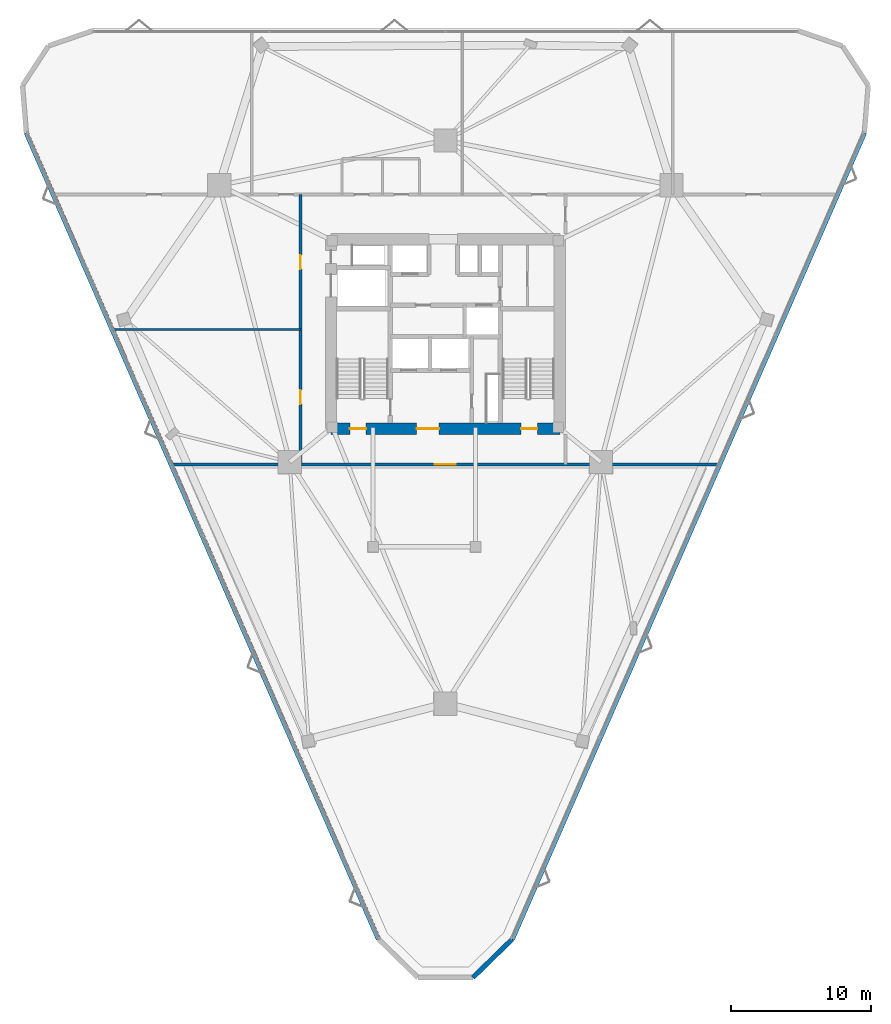
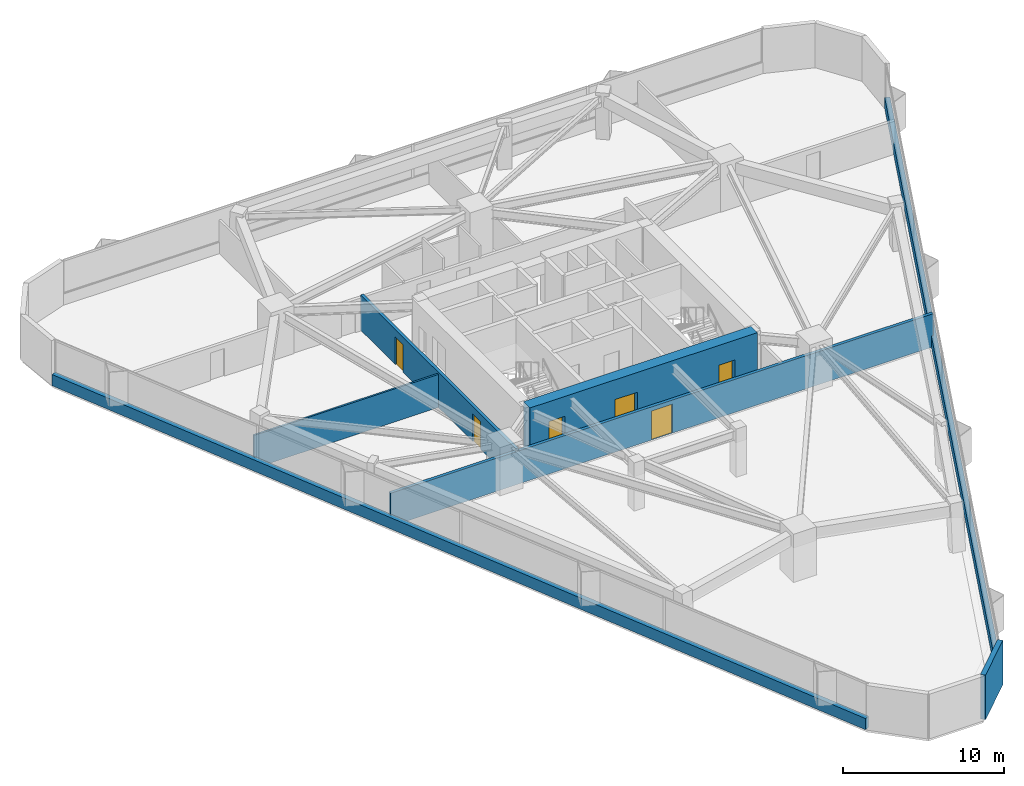
# One storey, part 11 of 15: 7 walls, 6 doors, 6 openings.
"""IFC4 building model written with IfcOpenShell, lengths in metres."""

from ifc_helpers import new_model, si_unit, direction, frame, frame_2d, origin, place, context, subcontext, project, spatial, rectangle, extrude, material, layer, layer_set, type_object, element, fill, save


model = new_model("IFC4")

# Units and contexts
model_context = context("Model", 3, precision=1e-05, world=origin(), true_north=direction((0.0, 1.0)))
body_context = subcontext(model_context, "Body", "Model", "MODEL_VIEW")
ifc_project = project(units=[si_unit("LENGTHUNIT", "METRE"), si_unit("AREAUNIT", "SQUARE_METRE"), si_unit("VOLUMEUNIT", "CUBIC_METRE"), si_unit("PLANEANGLEUNIT", "RADIAN"), si_unit("MASSUNIT", "GRAM", prefix="KILO")], contexts=[model_context])

# Site, building, storey
site_placement = place(None, origin())
site = spatial("IfcSite", under=ifc_project, at=site_placement, CompositionType="ELEMENT")
building_placement = place(site_placement, origin())
building = spatial("IfcBuilding", under=site, at=building_placement, Name="Talyreon Biosciences Tower", CompositionType="ELEMENT")
storey_placement = place(building_placement, frame((0.0, 0.0, 111.5)))
storey = spatial("IfcBuildingStorey", under=building, at=storey_placement, Name="L29", CompositionType="ELEMENT", Elevation=111.5)

# Wall, openings, doors
ifc_material_1 = material(Name="Concrete C60/75", Category="concrete")
ifc_layer_1 = layer(ifc_material_1, 0.800048828125)
ifc_layer_set_1 = layer_set([ifc_layer_1], Name="Concrete C60/75")
wall_type_1 = type_object("IfcWallType", Name="CoreShearWall_800", PredefinedType="SHEAR", material=ifc_layer_set_1)
wall_1_placement = place(storey_placement, frame((57.85009765625, 61.25, 0.0), z_axis=(0.0, 0.0, 1.0), x_axis=(1.0, 0.0, 0.0)))
wall_1 = element("IfcWall", 1, at=wall_1_placement, inside=storey, type_object=wall_type_1, Name="L29 Core Shear Wall S", PredefinedType="SHEAR", context=body_context, shape_type="SweptSolid", body=[
    extrude(rectangle(XDim=16.2998046875, YDim=0.800048828125, at=frame_2d((8.14990234375, 0.0))), origin(), (0.0, 0.0, 1.0), 3.64990234375),
])
opening_1_placement = place(wall_1_placement, frame((1.35009765625, 0.0, 0.0)))
opening_1 = element("IfcOpeningElement", 2, at=opening_1_placement, cuts=wall_1, Name="Opening DR-L29-ST1", PredefinedType="OPENING", context=body_context, shape_type="SweptSolid", body=[
    extrude(rectangle(XDim=1.14990234375, YDim=2.14990234375, at=frame_2d((0.574951171875, 1.074951171875))), frame((0.0, 0.409912109375, 0.0), z_axis=(0.0, -1.0, 0.0), x_axis=(1.0, 0.0, 0.0)), (0.0, 0.0, 1.0), 0.820068359375),
])
opening_2_placement = place(wall_1_placement, frame((6.10009765625, 0.0, 0.0)))
opening_2 = element("IfcOpeningElement", 3, at=opening_2_placement, cuts=wall_1, Name="Opening DR-L29-FFL", PredefinedType="OPENING", context=body_context, shape_type="SweptSolid", body=[
    extrude(rectangle(XDim=1.60009765625, YDim=2.14990234375, at=frame_2d((0.800048828125, 1.074951171875))), frame((0.0, 0.409912109375, 0.0), z_axis=(0.0, -1.0, 0.0), x_axis=(1.0, 0.0, 0.0)), (0.0, 0.0, 1.0), 0.820068359375),
])
opening_3_placement = place(wall_1_placement, frame((13.550048828125, 0.0, 0.0)))
opening_3 = element("IfcOpeningElement", 4, at=opening_3_placement, cuts=wall_1, Name="Opening DR-L29-ST2", PredefinedType="OPENING", context=body_context, shape_type="SweptSolid", body=[
    extrude(rectangle(XDim=1.14990234375, YDim=2.14990234375, at=frame_2d((0.574951171875, 1.074951171875))), frame((0.0, 0.409912109375, 0.0), z_axis=(0.0, -1.0, 0.0), x_axis=(1.0, 0.0, 0.0)), (0.0, 0.0, 1.0), 0.820068359375),
])
ifc_material_2 = material(Name="Painted steel smoke-seal fire door", Category="steel")
door_type_1 = type_object("IfcDoorType", Name="FirefightingLobbyDoubleDoor_1600x2150", OperationType="DOUBLE_DOOR_SINGLE_SWING", PredefinedType="DOOR", material=ifc_material_2)
door_1_placement = place(opening_2_placement, origin())
door_1 = element("IfcDoor", 5, at=door_1_placement, inside=storey, type_object=door_type_1, Name="L29 Core Door DR-L29-FFL", OperationType="DOUBLE_DOOR_SINGLE_SWING", OverallHeight=2.14990234375, OverallWidth=1.60009765625, PredefinedType="DOOR", context=body_context, shape_type="SweptSolid", body=[
    extrude(rectangle(XDim=1.60009765625, YDim=2.14990234375, at=frame_2d((0.800048828125, 1.074951171875))), frame((0.0, 0.02490234375, 0.0), z_axis=(0.0, -1.0, 0.0), x_axis=(1.0, 0.0, 0.0)), (0.0, 0.0, 1.0), 0.050048828125),
])
fill(opening_2, door_1)
ifc_material_3 = material(Name="Painted steel fire door", Category="steel")
door_type_2 = type_object("IfcDoorType", Name="StairShaftFireDoor_1150x2150", OperationType="NOTDEFINED", PredefinedType="DOOR", material=ifc_material_3)
door_2_placement = place(opening_1_placement, origin())
door_2 = element("IfcDoor", 6, at=door_2_placement, inside=storey, type_object=door_type_2, Name="L29 Core Door DR-L29-ST1", OperationType="SINGLE_SWING_LEFT", OverallHeight=2.14990234375, OverallWidth=1.14990234375, PredefinedType="DOOR", context=body_context, shape_type="SweptSolid", body=[
    extrude(rectangle(XDim=1.14990234375, YDim=2.14990234375, at=frame_2d((0.574951171875, 1.074951171875))), frame((0.0, 0.02490234375, 0.0), z_axis=(0.0, -1.0, 0.0), x_axis=(1.0, 0.0, 0.0)), (0.0, 0.0, 1.0), 0.050048828125),
])
fill(opening_1, door_2)
door_3_placement = place(opening_3_placement, origin())
door_3 = element("IfcDoor", 7, at=door_3_placement, inside=storey, type_object=door_type_2, Name="L29 Core Door DR-L29-ST2", OperationType="SINGLE_SWING_RIGHT", OverallHeight=2.14990234375, OverallWidth=1.14990234375, PredefinedType="DOOR", context=body_context, shape_type="SweptSolid", body=[
    extrude(rectangle(XDim=1.14990234375, YDim=2.14990234375, at=frame_2d((0.574951171875, 1.074951171875))), frame((0.0, 0.02490234375, 0.0), z_axis=(0.0, -1.0, 0.0), x_axis=(1.0, 0.0, 0.0)), (0.0, 0.0, 1.0), 0.050048828125),
])
fill(opening_3, door_3)

# Wall, opening, door
ifc_material_4 = material(Name="Gypsum fireboard acoustic stud", Category="gypsum")
ifc_layer_2 = layer(ifc_material_4, 0.219970703125)
ifc_layer_set_2 = layer_set([ifc_layer_2], Name="Gypsum fireboard acoustic stud")
wall_type_2 = type_object("IfcWallType", Name="CorridorRatedPartition_220", PredefinedType="PARTITIONING", material=ifc_layer_set_2)
wall_2_placement = place(storey_placement, frame((46.5625, 58.699951171875, 0.0), z_axis=(0.0, 0.0, 1.0), x_axis=(1.0, 0.0, 0.0)))
wall_2 = element("IfcWall", 8, at=wall_2_placement, inside=storey, type_object=wall_type_2, Name="L29 Interior Wall IW-L29-COR-S", PredefinedType="PARTITIONING", context=body_context, shape_type="SweptSolid", body=[
    extrude(rectangle(XDim=38.875, YDim=0.219970703125, at=frame_2d((19.4375, 0.0))), origin(), (0.0, 0.0, 1.0), 2.5048828125),
])
opening_4_placement = place(wall_2_placement, frame((18.68701171875, 0.0, 0.0)))
opening_4 = element("IfcOpeningElement", 9, at=opening_4_placement, cuts=wall_2, Name="Opening DR-L29-S1A", PredefinedType="OPENING", context=body_context, shape_type="SweptSolid", body=[
    extrude(rectangle(XDim=1.5, YDim=2.199951171875, at=frame_2d((0.75, 1.10009765625))), frame((0.0, 0.119873046875, 0.0), z_axis=(0.0, -1.0, 0.0), x_axis=(1.0, 0.0, 0.0)), (0.0, 0.0, 1.0), 0.239990234375),
])
ifc_material_5 = material(Name="Vision-panel steel laboratory fire door", Category="steel")
door_type_3 = type_object("IfcDoorType", Name="WetLabDoubleLeafDoor_1500x2200", OperationType="DOUBLE_DOOR_SINGLE_SWING", PredefinedType="DOOR", material=ifc_material_5)
door_4_placement = place(opening_4_placement, origin())
door_4 = element("IfcDoor", 10, at=door_4_placement, inside=storey, type_object=door_type_3, Name="L29 Interior Door DR-L29-S1A", OperationType="DOUBLE_DOOR_SINGLE_SWING", OverallHeight=2.199951171875, OverallWidth=1.5, PredefinedType="DOOR", context=body_context, shape_type="SweptSolid", body=[
    extrude(rectangle(XDim=1.5, YDim=2.199951171875, at=frame_2d((0.75, 1.10009765625))), frame((0.0, 0.02490234375, 0.0), z_axis=(0.0, -1.0, 0.0), x_axis=(1.0, 0.0, 0.0)), (0.0, 0.0, 1.0), 0.050048828125),
])
fill(opening_4, door_4)

# Wall, openings, doors
wall_3_placement = place(storey_placement, frame((55.679931640625, 58.699951171875, 0.0), z_axis=(0.0, 0.0, 1.0), x_axis=(0.0, 1.0, 0.0)))
wall_3 = element("IfcWall", 11, at=wall_3_placement, inside=storey, type_object=wall_type_2, Name="L29 Interior Wall IW-L29-COR-W", PredefinedType="PARTITIONING", context=body_context, shape_type="SweptSolid", body=[
    extrude(rectangle(XDim=19.22998046875, YDim=0.219970703125, at=frame_2d((9.614990234375, 0.0))), origin(), (0.0, 0.0, 1.0), 2.655029296875),
])
opening_5_placement = place(wall_3_placement, frame((4.306884765625, 0.0, 0.0)))
opening_5 = element("IfcOpeningElement", 12, at=opening_5_placement, cuts=wall_3, Name="Opening DR-L29-W1A", PredefinedType="OPENING", context=body_context, shape_type="SweptSolid", body=[
    extrude(rectangle(XDim=1.0, YDim=2.10009765625, at=frame_2d((0.5, 1.050048828125))), frame((0.0, 0.119873046875, 0.0), z_axis=(0.0, -1.0, 0.0), x_axis=(1.0, 0.0, 0.0)), (0.0, 0.0, 1.0), 0.239990234375),
])
opening_6_placement = place(wall_3_placement, frame((13.922119140625, 0.0, 0.0)))
opening_6 = element("IfcOpeningElement", 13, at=opening_6_placement, cuts=wall_3, Name="Opening DR-L29-W2A", PredefinedType="OPENING", context=body_context, shape_type="SweptSolid", body=[
    extrude(rectangle(XDim=1.0, YDim=2.10009765625, at=frame_2d((0.5, 1.050048828125))), frame((0.0, 0.119873046875, 0.0), z_axis=(0.0, -1.0, 0.0), x_axis=(1.0, 0.0, 0.0)), (0.0, 0.0, 1.0), 0.239990234375),
])
ifc_material_6 = material(Name="Acoustic oak veneer office door", Category="wood")
door_type_4 = type_object("IfcDoorType", Name="WriteupOfficeDoor_1000x2100", OperationType="NOTDEFINED", PredefinedType="DOOR", material=ifc_material_6)
door_5_placement = place(opening_5_placement, origin())
door_5 = element("IfcDoor", 14, at=door_5_placement, inside=storey, type_object=door_type_4, Name="L29 Interior Door DR-L29-W1A", OperationType="SINGLE_SWING_RIGHT", OverallHeight=2.10009765625, OverallWidth=1.0, PredefinedType="DOOR", context=body_context, shape_type="SweptSolid", body=[
    extrude(rectangle(XDim=1.0, YDim=2.10009765625, at=frame_2d((0.5, 1.050048828125))), frame((0.0, 0.02490234375, 0.0), z_axis=(0.0, -1.0, 0.0), x_axis=(1.0, 0.0, 0.0)), (0.0, 0.0, 1.0), 0.050048828125),
])
fill(opening_5, door_5)
door_6_placement = place(opening_6_placement, origin())
door_6 = element("IfcDoor", 15, at=door_6_placement, inside=storey, type_object=door_type_4, Name="L29 Interior Door DR-L29-W2A", OperationType="SINGLE_SWING_LEFT", OverallHeight=2.10009765625, OverallWidth=1.0, PredefinedType="DOOR", context=body_context, shape_type="SweptSolid", body=[
    extrude(rectangle(XDim=1.0, YDim=2.10009765625, at=frame_2d((0.5, 1.050048828125))), frame((0.0, 0.02490234375, 0.0), z_axis=(0.0, -1.0, 0.0), x_axis=(1.0, 0.0, 0.0)), (0.0, 0.0, 1.0), 0.050048828125),
])
fill(opening_6, door_6)

# Walls
ifc_material_7 = material(Name="Gypsum acoustic stud partition", Category="gypsum")
ifc_layer_3 = layer(ifc_material_7, 0.1298828125)
ifc_layer_set_3 = layer_set([ifc_layer_3], Name="Gypsum acoustic stud partition")
wall_type_3 = type_object("IfcWallType", Name="OfficeWriteupPartition_130", PredefinedType="PARTITIONING", material=ifc_layer_set_3)
wall_4_placement = place(storey_placement, frame((42.363525390625, 68.31494140625, 0.0), z_axis=(0.0, 0.0, 1.0), x_axis=(1.0, 0.0, 0.0)))
element("IfcWall", 16, at=wall_4_placement, inside=storey, type_object=wall_type_3, Name="L29 Interior Wall IW-L29-WDIV1", PredefinedType="PARTITIONING", context=body_context, shape_type="SweptSolid", body=[
    extrude(rectangle(XDim=13.31640625, YDim=0.1298828125, at=frame_2d((6.658203125, 0.0))), origin(), (0.0, 0.0, 1.0), 2.5048828125),
])
ifc_material_8 = material(Name="Precast concrete C45/55", Category="concrete")
ifc_layer_4 = layer(ifc_material_8, 0.340087890625)
ifc_layer_set_4 = layer_set([ifc_layer_4], Name="Precast concrete C45/55")
wall_type_4 = type_object("IfcWallType", Name="PrecastConcreteSpandrelWall_340", PredefinedType="STANDARD", material=ifc_layer_set_4)
for number, where, z_axis, x_axis, name in (
    (17, (61.234619140625, 24.892578125, 0.0), (0.0, 0.0, 1.0), (-0.400226042304, 0.916416452854, 0.0), "L29 Expressed Concrete Sill Wall 00"),
    (18, (95.853759765625, 82.338623046875, 0.0), (0.0, 0.0, 1.0), (-0.400226042304, -0.916416452854, 0.0), "L29 Expressed Concrete Sill Wall 08"),
):
    element("IfcWall", number, at=place(storey_placement, frame(where, z_axis=z_axis, x_axis=x_axis)), inside=storey, type_object=wall_type_4, Name=name, PredefinedType="STANDARD", context=body_context, shape_type="SweptSolid", body=[
        extrude(rectangle(XDim=62.685546875, YDim=0.340087890625, at=frame_2d((31.3427734375, 0.0))), origin(), (0.0, 0.0, 1.0), 0.85009765625),
    ])
wall_5_placement = place(storey_placement, frame((70.765380859375, 24.892578125, 0.0), z_axis=(0.0, 0.0, 1.0), x_axis=(-0.716021159022, -0.69807857712, 0.0)))
element("IfcWall", 19, at=wall_5_placement, inside=storey, type_object=wall_type_4, Name="L29 Rounded-Corner Concrete Pier 09", PredefinedType="STANDARD", context=body_context, shape_type="SweptSolid", body=[
    extrude(rectangle(XDim=3.918701171875, YDim=0.340087890625, at=frame_2d((1.95947265625, 0.0))), origin(), (0.0, 0.0, 1.0), 3.375),
])

save(model, "model.ifc")
